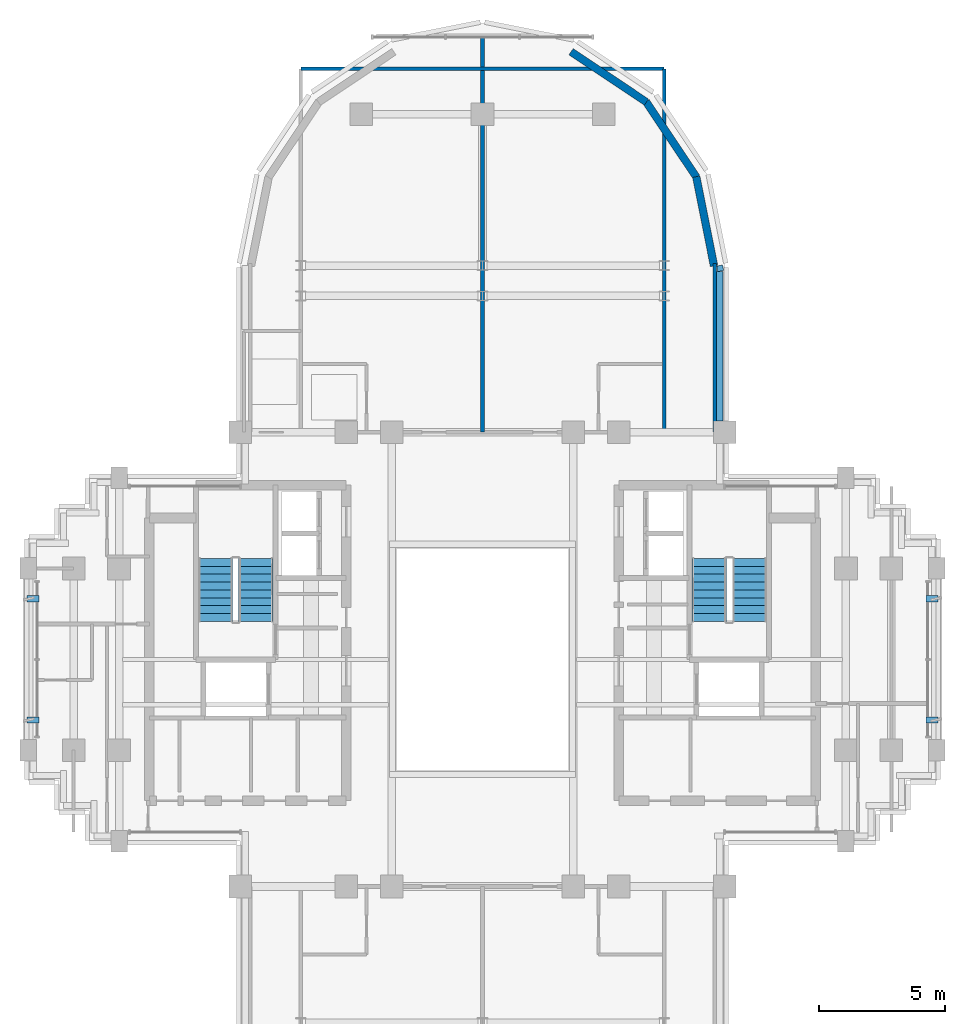
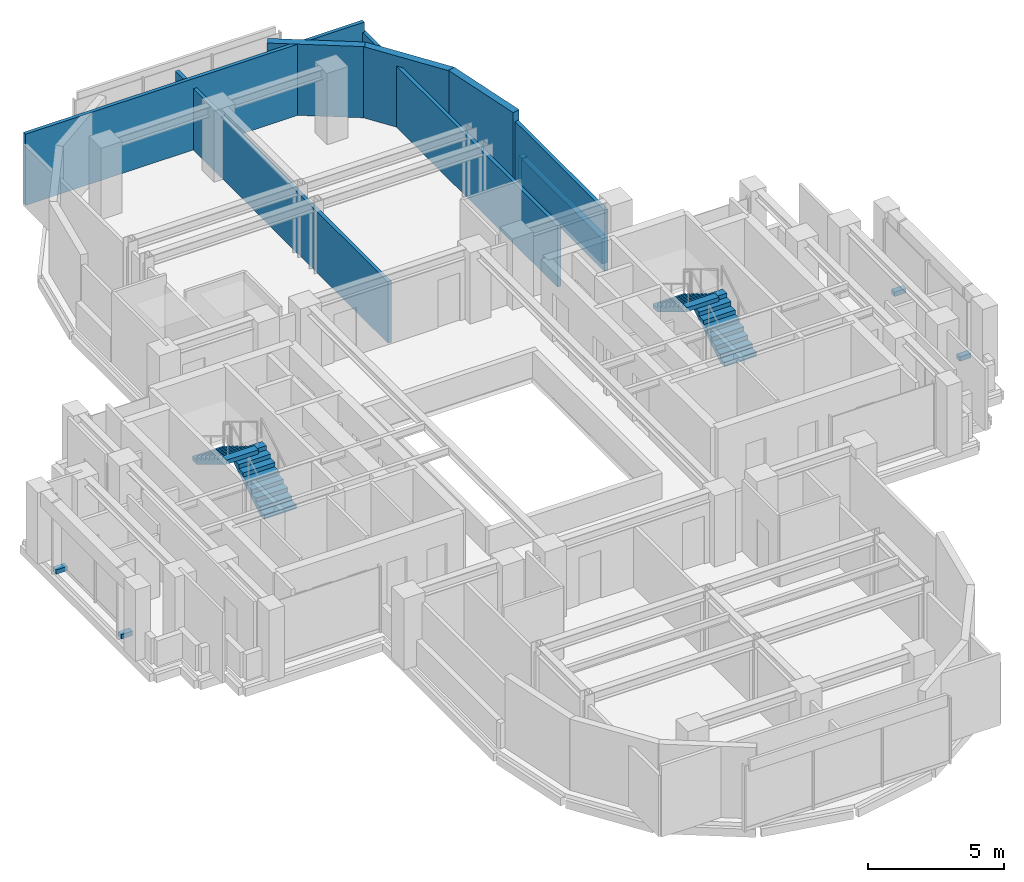
# One storey, part 9 of 12: 9 walls, 4 discrete accessories, 4 stair flights, 2 elements without a shape of their own.
"""IFC4 building model written with IfcOpenShell, lengths in metres."""

from ifc_helpers import new_model, si_unit, direction, frame, frame_2d, origin, origin_2d, place, context, subcontext, project, spatial, polyline, rectangle, outline, extrude, source, transform, mapped, material, layer, layer_set, type_object, element, aggregate, save


model = new_model("IFC4")

# Units and contexts
model_context = context("Model", 3, precision=1e-05, world=origin(), true_north=direction((0.0, 1.0)))
body_context = subcontext(model_context, "Body", "Model", "MODEL_VIEW")
ifc_project = project(units=[si_unit("LENGTHUNIT", "METRE"), si_unit("AREAUNIT", "SQUARE_METRE"), si_unit("VOLUMEUNIT", "CUBIC_METRE"), si_unit("PLANEANGLEUNIT", "RADIAN"), si_unit("MASSUNIT", "GRAM", prefix="KILO")], contexts=[model_context])

# Site, building, storey
site_placement = place(None, origin())
site = spatial("IfcSite", under=ifc_project, at=site_placement, CompositionType="ELEMENT")
building_placement = place(site_placement, origin())
building = spatial("IfcBuilding", under=site, at=building_placement, Name="Keilestroom Media Tower", CompositionType="ELEMENT")
storey_placement = place(building_placement, frame((0.0, 0.0, 184.199951171875)))
storey = spatial("IfcBuildingStorey", under=building, at=storey_placement, Name="L50", CompositionType="ELEMENT", Elevation=184.199951171875)

# Walls
ifc_material_1 = material(Name="Precast concrete C40/50", Category="concrete")
ifc_layer_1 = layer(ifc_material_1, 0.300048828125)
ifc_layer_set_1 = layer_set([ifc_layer_1], Name="Precast concrete C40/50")
wall_type_1 = type_object("IfcWallType", Name="Exterior-Masonry-Spandrel-Wall-300", PredefinedType="SOLIDWALL", material=ifc_layer_set_1)
for number, where, z_axis, x_axis, name in (
    (1, (9.1748046875, 15.585205078125, 0.0), (0.0, 0.0, 1.0), (-0.195114232679, 0.980780523974, 0.0), "L50 Lobe Facet Precast Frame Wall 01"),
    (2, (8.48193359375, 19.097412109375, 0.0), (0.0, 0.0, 1.0), (-0.555574187116, 0.831466970246, 0.0), "L50 Lobe Facet Precast Frame Wall 02"),
):
    element("IfcWall", number, at=place(storey_placement, frame(where, z_axis=z_axis, x_axis=x_axis)), inside=storey, type_object=wall_type_1, Name=name, PredefinedType="SOLIDWALL", context=body_context, shape_type="SweptSolid", body=[
        extrude(rectangle(XDim=3.608642578125, YDim=0.300048828125, at=frame_2d((1.80419921875, 0.0))), origin(), (0.0, 0.0, 1.0), 3.199951171875),
    ])
wall_1_placement = place(storey_placement, frame((6.497802734375, 22.0771484375, 0.0), z_axis=(0.0, 0.0, 1.0), x_axis=(-0.8314749531, 0.555562239868, 0.0)))
element("IfcWall", 3, at=wall_1_placement, inside=storey, type_object=wall_type_1, Name="L50 Lobe Facet Precast Frame Wall 03", PredefinedType="SOLIDWALL", context=body_context, shape_type="SweptSolid", body=[
    extrude(rectangle(XDim=3.59326171875, YDim=0.300048828125, at=frame_2d((1.796630859375, 0.0))), origin(), (0.0, 0.0, 1.0), 3.199951171875),
])
ifc_material_2 = material(Name="Gypsum Plasterboard & Steel Stud", Category="steel")
ifc_layer_2 = layer(ifc_material_2, 0.14990234375)
ifc_layer_set_2 = layer_set([ifc_layer_2], Name="Gypsum Plasterboard & Steel Stud")
wall_type_2 = type_object("IfcWallType", Name="Interior-Partition-Wall-150", PredefinedType="PARTITIONING", material=ifc_layer_set_2)
wall_2_placement = place(storey_placement, frame((9.199951171875, 9.0, 0.0), z_axis=(0.0, 0.0, 1.0), x_axis=(0.0, 1.0, 0.0)))
element("IfcWall", 4, at=wall_2_placement, inside=storey, type_object=wall_type_2, Name="L50 Interior Wall WP-L50-NL-CHKE", PredefinedType="PARTITIONING", context=body_context, shape_type="SweptSolid", body=[
    extrude(rectangle(XDim=6.679931640625, YDim=0.14990234375, at=frame_2d((3.33984375, 0.0))), origin(), (0.0, 0.0, 1.0), 2.75),
])
wall_3_placement = place(storey_placement, frame((0.0, 9.0, 0.0), z_axis=(0.0, 0.0, 1.0), x_axis=(0.0, 1.0, 0.0)))
element("IfcWall", 5, at=wall_3_placement, inside=storey, type_object=wall_type_2, Name="L50 Interior Wall WP-L50-H306-NV-0", PredefinedType="PARTITIONING", context=body_context, shape_type="SweptSolid", body=[
    extrude(rectangle(XDim=15.64990234375, YDim=0.14990234375, at=frame_2d((7.824951171875, 0.0))), origin(), (0.0, 0.0, 1.0), 2.75),
])
wall_4_placement = place(storey_placement, frame((7.199951171875, 9.0, 0.0), z_axis=(0.0, 0.0, 1.0), x_axis=(0.0, 1.0, 0.0)))
element("IfcWall", 6, at=wall_4_placement, inside=storey, type_object=wall_type_2, Name="L50 Interior Wall WP-L50-H306-NV-72", PredefinedType="PARTITIONING", context=body_context, shape_type="SweptSolid", body=[
    extrude(rectangle(XDim=14.39990234375, YDim=0.14990234375, at=frame_2d((7.199951171875, 0.0))), origin(), (0.0, 0.0, 1.0), 2.75),
])
wall_5_placement = place(storey_placement, frame((-7.199951171875, 23.39990234375, 0.0), z_axis=(0.0, 0.0, 1.0), x_axis=(1.0, 0.0, 0.0)))
element("IfcWall", 7, at=wall_5_placement, inside=storey, type_object=wall_type_2, Name="L50 Interior Wall WP-L50-H306-NTIP", PredefinedType="PARTITIONING", context=body_context, shape_type="SweptSolid", body=[
    extrude(rectangle(XDim=14.39990234375, YDim=0.14990234375, at=frame_2d((7.199951171875, 0.0))), origin(), (0.0, 0.0, 1.0), 3.199951171875),
])
ifc_layer_3 = layer(ifc_material_1, 0.239990234375)
ifc_layer_set_3 = layer_set([ifc_layer_3], Name="Precast concrete C40/50")
wall_type_3 = type_object("IfcWallType", Name="Roof-And-Terrace-Parapet-Wall-240", PredefinedType="PARAPET", material=ifc_layer_set_3)
wall_6_placement = place(storey_placement, frame((9.395263671875, 15.604248046875, 0.0), z_axis=(0.0, 0.0, 1.0), x_axis=(0.194652052864, -0.980872355771, 0.0)))
element("IfcWall", 8, at=wall_6_placement, inside=storey, type_object=wall_type_3, Name="L50 Perimeter Edge Parapet Wall 28", PredefinedType="PARAPET", context=body_context, shape_type="SweptSolid", body=[
    extrude(rectangle(XDim=0.224609375, YDim=0.239990234375, at=frame_2d((0.1123046875, 0.0))), origin(), (0.0, 0.0, 1.0), 1.150146484375),
])
wall_7_placement = place(storey_placement, frame((9.39990234375, 15.357666015625, 0.0), z_axis=(0.0, 0.0, 1.0), x_axis=(0.0, -1.0, 0.0)))
element("IfcWall", 9, at=wall_7_placement, inside=storey, type_object=wall_type_3, Name="L50 Perimeter Edge Parapet Wall 29", PredefinedType="PARAPET", context=body_context, shape_type="SweptSolid", body=[
    extrude(rectangle(XDim=5.90478515625, YDim=0.239990234375, at=frame_2d((2.952392578125, 0.0))), origin(), (0.0, 0.0, 1.0), 1.150146484375),
])

# Stair, stair flights
ifc_material_3 = material(Name="Concrete C45/55", Category="concrete")
stair_type = type_object("IfcStairType", Name="Enclosed-Dog-Leg-Stair-ST-CORE", PredefinedType="HALF_TURN_STAIR", material=ifc_material_3)
stair_1_placement = place(storey_placement, origin())
stair_1 = element("IfcStair", 10, at=stair_1_placement, inside=storey, type_object=stair_type, Name="L50 West Core Escape Stair ST-1", PredefinedType="HALF_TURN_STAIR")
stair_flight_type = type_object("IfcStairFlightType", Name="Precast-Concrete-Stair-Flight-Core-160", PredefinedType="STRAIGHT", material=ifc_material_1)
stair_flight_1_placement = place(storey_placement, frame((-8.97998046875, 1.5, 0.0), z_axis=(0.0, 0.0, 1.0), x_axis=(0.0, 1.0, 0.0)))
stair_flight_1 = element("IfcStairFlight", 11, at=stair_flight_1_placement, type_object=stair_flight_type, Name="ST-1 flight 1", NumberOfRisers=9, NumberOfTreads=8, PredefinedType="STRAIGHT", RiserHeight=0.188888889, TreadLength=0.312, context=body_context, shape_type="SweptSolid", body=[
    extrude(outline(polyline([(0.0, 0.0), (0.0, 0.18896484375), (0.31201171875, 0.18896484375), (0.31201171875, 0.377685546875), (0.6240234375, 0.377685546875), (0.6240234375, 0.566650390625), (0.93603515625, 0.566650390625), (0.93603515625, 0.755615234375), (1.248046875, 0.755615234375), (1.248046875, 0.9443359375), (1.56005859375, 0.9443359375), (1.56005859375, 1.13330078125), (1.8720703125, 1.13330078125), (1.8720703125, 1.322265625), (2.18408203125, 1.322265625), (2.18408203125, 1.51123046875), (2.49609375, 1.51123046875), (2.49609375, 1.699951171875), (2.49609375, 1.32421875), (0.308837890625, 0.0), (0.0, 0.0)])), frame((0.0, 0.68017578125, 0.0), z_axis=(0.0, -1.0, 0.0), x_axis=(1.0, 0.0, 0.0)), (0.0, 0.0, 1.0), 1.360107421875),
])
stair_flight_2_placement = place(storey_placement, frame((-10.580078125, 3.99609375, 1.699951171875), z_axis=(0.0, 0.0, 1.0), x_axis=(0.0, -1.0, 0.0)))
stair_flight_2 = element("IfcStairFlight", 12, at=stair_flight_2_placement, type_object=stair_flight_type, Name="ST-1 flight 2", NumberOfRisers=9, NumberOfTreads=8, PredefinedType="STRAIGHT", RiserHeight=0.188888889, TreadLength=0.312, context=body_context, shape_type="SweptSolid", body=[
    extrude(outline(polyline([(0.0, 0.0), (0.0, 0.18896484375), (0.31201171875, 0.18896484375), (0.31201171875, 0.377685546875), (0.6240234375, 0.377685546875), (0.6240234375, 0.566650390625), (0.93603515625, 0.566650390625), (0.93603515625, 0.755615234375), (1.248046875, 0.755615234375), (1.248046875, 0.9443359375), (1.56005859375, 0.9443359375), (1.56005859375, 1.13330078125), (1.8720703125, 1.13330078125), (1.8720703125, 1.322265625), (2.18408203125, 1.322265625), (2.18408203125, 1.51123046875), (2.49609375, 1.51123046875), (2.49609375, 1.699951171875), (2.49609375, 1.32421875), (0.308837890625, 0.0), (0.0, 0.0)])), frame((0.0, 0.68017578125, 0.0), z_axis=(0.0, -1.0, 0.0), x_axis=(1.0, 0.0, 0.0)), (0.0, 0.0, 1.0), 1.360107421875),
])
aggregate(stair_1, [stair_flight_1, stair_flight_2])

stair_2_placement = place(storey_placement, origin())
stair_2 = element("IfcStair", 13, at=stair_2_placement, inside=storey, type_object=stair_type, Name="L50 East Core Escape Stair ST-2", PredefinedType="HALF_TURN_STAIR")
stair_flight_3_placement = place(storey_placement, frame((10.580078125, 1.5, 0.0), z_axis=(0.0, 0.0, 1.0), x_axis=(0.0, 1.0, 0.0)))
stair_flight_3 = element("IfcStairFlight", 14, at=stair_flight_3_placement, type_object=stair_flight_type, Name="ST-2 flight 1", NumberOfRisers=9, NumberOfTreads=8, PredefinedType="STRAIGHT", RiserHeight=0.188888889, TreadLength=0.312, context=body_context, shape_type="SweptSolid", body=[
    extrude(outline(polyline([(0.0, 0.0), (0.0, 0.18896484375), (0.31201171875, 0.18896484375), (0.31201171875, 0.377685546875), (0.6240234375, 0.377685546875), (0.6240234375, 0.566650390625), (0.93603515625, 0.566650390625), (0.93603515625, 0.755615234375), (1.248046875, 0.755615234375), (1.248046875, 0.9443359375), (1.56005859375, 0.9443359375), (1.56005859375, 1.13330078125), (1.8720703125, 1.13330078125), (1.8720703125, 1.322265625), (2.18408203125, 1.322265625), (2.18408203125, 1.51123046875), (2.49609375, 1.51123046875), (2.49609375, 1.699951171875), (2.49609375, 1.32421875), (0.308837890625, 0.0), (0.0, 0.0)])), frame((0.0, 0.68017578125, 0.0), z_axis=(0.0, -1.0, 0.0), x_axis=(1.0, 0.0, 0.0)), (0.0, 0.0, 1.0), 1.360107421875),
])
stair_flight_4_placement = place(storey_placement, frame((8.97998046875, 3.99609375, 1.699951171875), z_axis=(0.0, 0.0, 1.0), x_axis=(0.0, -1.0, 0.0)))
stair_flight_4 = element("IfcStairFlight", 15, at=stair_flight_4_placement, type_object=stair_flight_type, Name="ST-2 flight 2", NumberOfRisers=9, NumberOfTreads=8, PredefinedType="STRAIGHT", RiserHeight=0.188888889, TreadLength=0.312, context=body_context, shape_type="SweptSolid", body=[
    extrude(outline(polyline([(0.0, 0.0), (0.0, 0.18896484375), (0.31201171875, 0.18896484375), (0.31201171875, 0.377685546875), (0.6240234375, 0.377685546875), (0.6240234375, 0.566650390625), (0.93603515625, 0.566650390625), (0.93603515625, 0.755615234375), (1.248046875, 0.755615234375), (1.248046875, 0.9443359375), (1.56005859375, 0.9443359375), (1.56005859375, 1.13330078125), (1.8720703125, 1.13330078125), (1.8720703125, 1.322265625), (2.18408203125, 1.322265625), (2.18408203125, 1.51123046875), (2.49609375, 1.51123046875), (2.49609375, 1.699951171875), (2.49609375, 1.32421875), (0.308837890625, 0.0), (0.0, 0.0)])), frame((0.0, 0.68017578125, 0.0), z_axis=(0.0, -1.0, 0.0), x_axis=(1.0, 0.0, 0.0)), (0.0, 0.0, 1.0), 1.360107421875),
])
aggregate(stair_2, [stair_flight_3, stair_flight_4])

# Discrete accessories
ifc_material_4 = material(Name="Stainless Steel 1.4401", Category="steel")
discrete_accessory_type = type_object("IfcDiscreteAccessoryType", Name="Facade-Fin-Fixing-Bracket-BRK-1", PredefinedType="BRACKET", material=ifc_material_4)
shared_shape = source(origin(), body_context, "Body", "SweptSolid", [
    extrude(rectangle(XDim=0.47998046875, YDim=0.239990234375, at=origin_2d()), origin(), (0.0, 0.0, 1.0), 0.199951171875),
])
for number, where, z_axis, x_axis, name in (
    (16, (-17.81005859375, -2.39990234375, -0.009765625), (0.0, 0.0, 1.0), (1.0, 0.0, 0.0), "L50 Sunshade Fin Bracket BRK-1 069"),
    (17, (-17.81005859375, 2.39990234375, -0.009765625), (0.0, 0.0, 1.0), (1.0, 0.0, 0.0), "L50 Sunshade Fin Bracket BRK-1 070"),
    (18, (17.81005859375, -2.39990234375, -0.009765625), (0.0, 0.0, 1.0), (1.0, 0.0, 0.0), "L50 Sunshade Fin Bracket BRK-1 071"),
    (19, (17.81005859375, 2.39990234375, -0.009765625), (0.0, 0.0, 1.0), (1.0, 0.0, 0.0), "L50 Sunshade Fin Bracket BRK-1 072"),
):
    element("IfcDiscreteAccessory", number, at=place(storey_placement, frame(where, z_axis=z_axis, x_axis=x_axis)), inside=storey, type_object=discrete_accessory_type, Name=name, PredefinedType="BRACKET", context=body_context, shape_type="MappedRepresentation", body=[
        mapped(shared_shape, transform((0.0, 0.0, 0.0), x_axis=(1.0, 0.0, 0.0), y_axis=(0.0, 1.0, 0.0), z_axis=(0.0, 0.0, 1.0), scale=1.0)),
    ])

save(model, "model.ifc")
